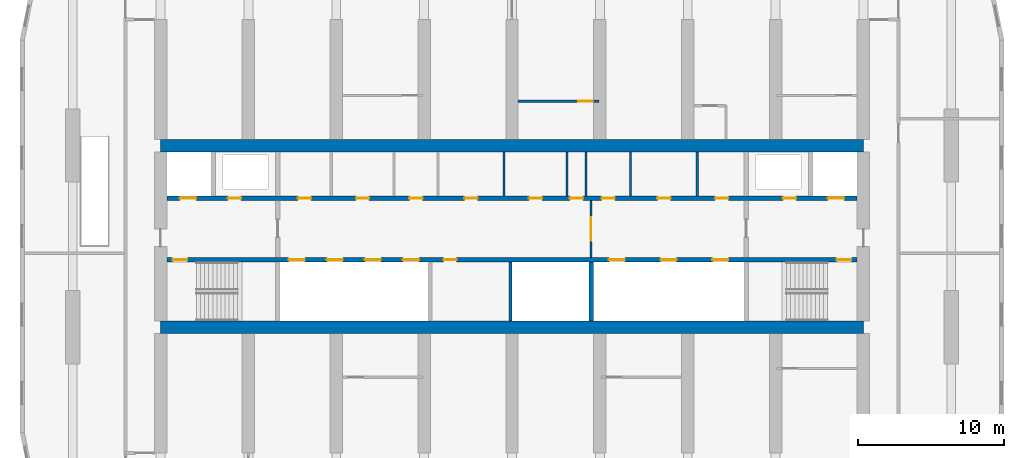
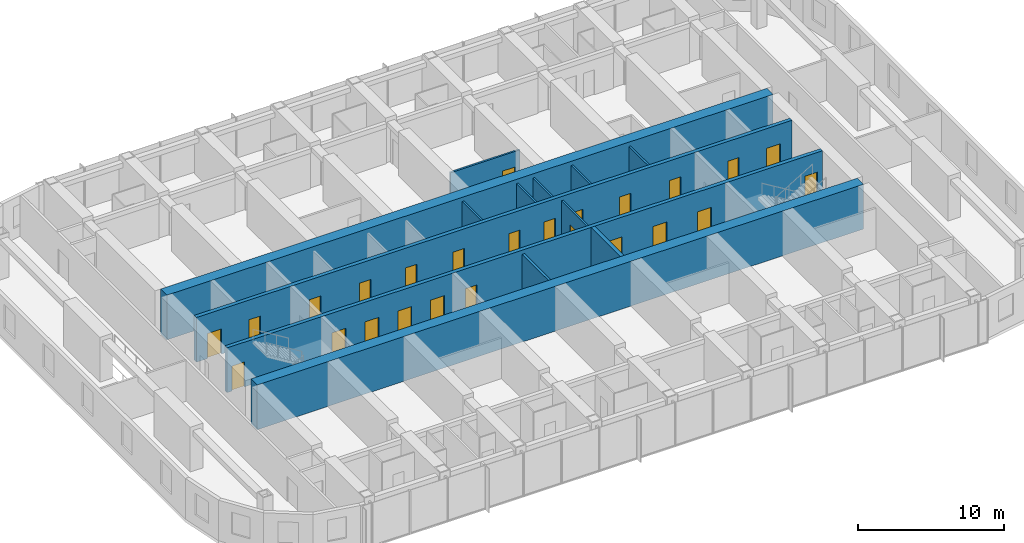
# One storey, part 13 of 22: 25 doors, 13 walls, 25 openings.
"""IFC4 building model written with IfcOpenShell, lengths in metres."""

from ifc_helpers import new_model, si_unit, direction, frame, frame_2d, origin, place, context, subcontext, project, spatial, rectangle, extrude, material, layer, layer_set, type_object, element, fill, save


model = new_model("IFC4")

# Units and contexts
model_context = context("Model", 3, precision=1e-05, world=origin(), true_north=direction((0.0, 1.0)))
body_context = subcontext(model_context, "Body", "Model", "MODEL_VIEW")
ifc_project = project(units=[si_unit("LENGTHUNIT", "METRE"), si_unit("AREAUNIT", "SQUARE_METRE"), si_unit("VOLUMEUNIT", "CUBIC_METRE"), si_unit("PLANEANGLEUNIT", "RADIAN"), si_unit("MASSUNIT", "GRAM", prefix="KILO")], contexts=[model_context])

# Site, building, storey
site_placement = place(None, origin())
site = spatial("IfcSite", under=ifc_project, at=site_placement, CompositionType="ELEMENT")
building_placement = place(site_placement, origin())
building = spatial("IfcBuilding", under=site, at=building_placement, Name="Orbita Commons", CompositionType="ELEMENT")
storey_placement = place(building_placement, frame((0.0, 0.0, 197.35009765625)))
storey = spatial("IfcBuildingStorey", under=building, at=storey_placement, Name="L49", CompositionType="ELEMENT", Elevation=197.35009765625)

# Wall, openings, doors
ifc_material_1 = material(Name="Concrete C50/60", Category="concrete")
ifc_layer_1 = layer(ifc_material_1, 0.300048828125)
ifc_layer_set_1 = layer_set([ifc_layer_1], Name="Concrete C50/60")
wall_type_1 = type_object("IfcWallType", Name="Core inner wall 300 C50/60", PredefinedType="SHEAR", material=ifc_layer_set_1)
wall_1_placement = place(storey_placement, frame((18.425048828125, 30.39990234375, 0.0), z_axis=(0.0, 0.0, 1.0), x_axis=(1.0, 0.0, 0.0)))
wall_1 = element("IfcWall", 1, at=wall_1_placement, inside=storey, type_object=wall_type_1, Name="Lobby wall south L49", PredefinedType="SHEAR", context=body_context, shape_type="SweptSolid", body=[
    extrude(rectangle(XDim=47.14990234375, YDim=0.300048828125, at=frame_2d((23.574951171875, 0.0))), origin(), (0.0, 0.0, 1.0), 3.75),
])
opening_1_placement = place(wall_1_placement, frame((0.39990234375, 0.0, 0.0)))
opening_1 = element("IfcOpeningElement", 2, at=opening_1_placement, cuts=wall_1, Name="Opening D02", PredefinedType="OPENING", context=body_context, shape_type="SweptSolid", body=[
    extrude(rectangle(XDim=1.0, YDim=2.10009765625, at=frame_2d((0.5, 1.050048828125))), frame((0.0, 0.159912109375, 0.0), z_axis=(0.0, -1.0, 0.0), x_axis=(1.0, 0.0, 0.0)), (0.0, 0.0, 1.0), 0.320068359375),
])
opening_2_placement = place(wall_1_placement, frame((45.75, 0.0, 0.0)))
opening_2 = element("IfcOpeningElement", 3, at=opening_2_placement, cuts=wall_1, Name="Opening D02", PredefinedType="OPENING", context=body_context, shape_type="SweptSolid", body=[
    extrude(rectangle(XDim=1.0, YDim=2.10009765625, at=frame_2d((0.5, 1.050048828125))), frame((0.0, 0.159912109375, 0.0), z_axis=(0.0, -1.0, 0.0), x_axis=(1.0, 0.0, 0.0)), (0.0, 0.0, 1.0), 0.320068359375),
])
opening_3_placement = place(wall_1_placement, frame((8.324951171875, 0.0, 0.0)))
opening_3 = element("IfcOpeningElement", 4, at=opening_3_placement, cuts=wall_1, Name="Opening LD02", PredefinedType="OPENING", context=body_context, shape_type="SweptSolid", body=[
    extrude(rectangle(XDim=1.10009765625, YDim=2.10009765625, at=frame_2d((0.550048828125, 1.050048828125))), frame((0.0, 0.159912109375, 0.0), z_axis=(0.0, -1.0, 0.0), x_axis=(1.0, 0.0, 0.0)), (0.0, 0.0, 1.0), 0.320068359375),
])
opening_4_placement = place(wall_1_placement, frame((10.925048828125, 0.0, 0.0)))
opening_4 = element("IfcOpeningElement", 5, at=opening_4_placement, cuts=wall_1, Name="Opening LD02", PredefinedType="OPENING", context=body_context, shape_type="SweptSolid", body=[
    extrude(rectangle(XDim=1.10009765625, YDim=2.10009765625, at=frame_2d((0.550048828125, 1.050048828125))), frame((0.0, 0.159912109375, 0.0), z_axis=(0.0, -1.0, 0.0), x_axis=(1.0, 0.0, 0.0)), (0.0, 0.0, 1.0), 0.320068359375),
])
opening_5_placement = place(wall_1_placement, frame((13.52490234375, 0.0, 0.0)))
opening_5 = element("IfcOpeningElement", 6, at=opening_5_placement, cuts=wall_1, Name="Opening LD02", PredefinedType="OPENING", context=body_context, shape_type="SweptSolid", body=[
    extrude(rectangle(XDim=1.10009765625, YDim=2.10009765625, at=frame_2d((0.550048828125, 1.050048828125))), frame((0.0, 0.159912109375, 0.0), z_axis=(0.0, -1.0, 0.0), x_axis=(1.0, 0.0, 0.0)), (0.0, 0.0, 1.0), 0.320068359375),
])
opening_6_placement = place(wall_1_placement, frame((16.125, 0.0, 0.0)))
opening_6 = element("IfcOpeningElement", 7, at=opening_6_placement, cuts=wall_1, Name="Opening LD02", PredefinedType="OPENING", context=body_context, shape_type="SweptSolid", body=[
    extrude(rectangle(XDim=1.10009765625, YDim=2.10009765625, at=frame_2d((0.550048828125, 1.050048828125))), frame((0.0, 0.159912109375, 0.0), z_axis=(0.0, -1.0, 0.0), x_axis=(1.0, 0.0, 0.0)), (0.0, 0.0, 1.0), 0.320068359375),
])
opening_7_placement = place(wall_1_placement, frame((18.89990234375, 0.0, 0.0)))
opening_7 = element("IfcOpeningElement", 8, at=opening_7_placement, cuts=wall_1, Name="Opening D05", PredefinedType="OPENING", context=body_context, shape_type="SweptSolid", body=[
    extrude(rectangle(XDim=0.89990234375, YDim=2.10009765625, at=frame_2d((0.449951171875, 1.050048828125))), frame((0.0, 0.159912109375, 0.0), z_axis=(0.0, -1.0, 0.0), x_axis=(1.0, 0.0, 0.0)), (0.0, 0.0, 1.0), 0.320068359375),
])
opening_8_placement = place(wall_1_placement, frame((30.191650390625, 0.0, 0.0)))
opening_8 = element("IfcOpeningElement", 9, at=opening_8_placement, cuts=wall_1, Name="Opening LD02", PredefinedType="OPENING", context=body_context, shape_type="SweptSolid", body=[
    extrude(rectangle(XDim=1.10009765625, YDim=2.10009765625, at=frame_2d((0.550048828125, 1.050048828125))), frame((0.0, 0.159912109375, 0.0), z_axis=(0.0, -1.0, 0.0), x_axis=(1.0, 0.0, 0.0)), (0.0, 0.0, 1.0), 0.320068359375),
])
opening_9_placement = place(wall_1_placement, frame((33.72509765625, 0.0, 0.0)))
opening_9 = element("IfcOpeningElement", 10, at=opening_9_placement, cuts=wall_1, Name="Opening LD02", PredefinedType="OPENING", context=body_context, shape_type="SweptSolid", body=[
    extrude(rectangle(XDim=1.10009765625, YDim=2.10009765625, at=frame_2d((0.550048828125, 1.050048828125))), frame((0.0, 0.159912109375, 0.0), z_axis=(0.0, -1.0, 0.0), x_axis=(1.0, 0.0, 0.0)), (0.0, 0.0, 1.0), 0.320068359375),
])
opening_10_placement = place(wall_1_placement, frame((37.25830078125, 0.0, 0.0)))
opening_10 = element("IfcOpeningElement", 11, at=opening_10_placement, cuts=wall_1, Name="Opening LD02", PredefinedType="OPENING", context=body_context, shape_type="SweptSolid", body=[
    extrude(rectangle(XDim=1.10009765625, YDim=2.10009765625, at=frame_2d((0.550048828125, 1.050048828125))), frame((0.0, 0.159912109375, 0.0), z_axis=(0.0, -1.0, 0.0), x_axis=(1.0, 0.0, 0.0)), (0.0, 0.0, 1.0), 0.320068359375),
])
ifc_material_2 = material(Name="Steel-faced fire door leaf", Category="steel")
door_type_1 = type_object("IfcDoorType", Name="Fire door 90 min 1000x2100", OperationType="SINGLE_SWING_LEFT", PredefinedType="DOOR", material=ifc_material_2)
door_1_placement = place(opening_1_placement, origin())
door_1 = element("IfcDoor", 12, at=door_1_placement, inside=storey, type_object=door_type_1, Name="Stair S1 door", OperationType="SINGLE_SWING_LEFT", OverallHeight=2.10009765625, OverallWidth=1.0, PredefinedType="DOOR", context=body_context, shape_type="SweptSolid", body=[
    extrude(rectangle(XDim=1.0, YDim=2.10009765625, at=frame_2d((0.5, 1.050048828125))), frame((0.0, 0.02490234375, 0.0), z_axis=(0.0, -1.0, 0.0), x_axis=(1.0, 0.0, 0.0)), (0.0, 0.0, 1.0), 0.050048828125),
])
fill(opening_1, door_1)
door_2_placement = place(opening_2_placement, origin())
door_2 = element("IfcDoor", 13, at=door_2_placement, inside=storey, type_object=door_type_1, Name="Stair S2 door", OperationType="SINGLE_SWING_LEFT", OverallHeight=2.10009765625, OverallWidth=1.0, PredefinedType="DOOR", context=body_context, shape_type="SweptSolid", body=[
    extrude(rectangle(XDim=1.0, YDim=2.10009765625, at=frame_2d((0.5, 1.050048828125))), frame((0.0, 0.02490234375, 0.0), z_axis=(0.0, -1.0, 0.0), x_axis=(1.0, 0.0, 0.0)), (0.0, 0.0, 1.0), 0.050048828125),
])
fill(opening_2, door_2)
ifc_material_3 = material(Name="Steel-faced fire door leaf", Category="steel")
door_type_2 = type_object("IfcDoorType", Name="Lift landing door 1100x2100", OperationType="DOUBLE_DOOR_SLIDING", PredefinedType="DOOR", material=ifc_material_3)
door_3_placement = place(opening_3_placement, origin())
door_3 = element("IfcDoor", 14, at=door_3_placement, inside=storey, type_object=door_type_2, Name="Lift P31 landing door", OperationType="DOUBLE_DOOR_SLIDING", OverallHeight=2.10009765625, OverallWidth=1.10009765625, PredefinedType="DOOR", context=body_context, shape_type="SweptSolid", body=[
    extrude(rectangle(XDim=1.10009765625, YDim=2.10009765625, at=frame_2d((0.550048828125, 1.050048828125))), frame((0.0, 0.02490234375, 0.0), z_axis=(0.0, -1.0, 0.0), x_axis=(1.0, 0.0, 0.0)), (0.0, 0.0, 1.0), 0.050048828125),
])
fill(opening_3, door_3)
door_4_placement = place(opening_4_placement, origin())
door_4 = element("IfcDoor", 15, at=door_4_placement, inside=storey, type_object=door_type_2, Name="Lift P32 landing door", OperationType="DOUBLE_DOOR_SLIDING", OverallHeight=2.10009765625, OverallWidth=1.10009765625, PredefinedType="DOOR", context=body_context, shape_type="SweptSolid", body=[
    extrude(rectangle(XDim=1.10009765625, YDim=2.10009765625, at=frame_2d((0.550048828125, 1.050048828125))), frame((0.0, 0.02490234375, 0.0), z_axis=(0.0, -1.0, 0.0), x_axis=(1.0, 0.0, 0.0)), (0.0, 0.0, 1.0), 0.050048828125),
])
fill(opening_4, door_4)
door_5_placement = place(opening_5_placement, origin())
door_5 = element("IfcDoor", 16, at=door_5_placement, inside=storey, type_object=door_type_2, Name="Lift P33 landing door", OperationType="DOUBLE_DOOR_SLIDING", OverallHeight=2.10009765625, OverallWidth=1.10009765625, PredefinedType="DOOR", context=body_context, shape_type="SweptSolid", body=[
    extrude(rectangle(XDim=1.10009765625, YDim=2.10009765625, at=frame_2d((0.550048828125, 1.050048828125))), frame((0.0, 0.02490234375, 0.0), z_axis=(0.0, -1.0, 0.0), x_axis=(1.0, 0.0, 0.0)), (0.0, 0.0, 1.0), 0.050048828125),
])
fill(opening_5, door_5)
door_6_placement = place(opening_6_placement, origin())
door_6 = element("IfcDoor", 17, at=door_6_placement, inside=storey, type_object=door_type_2, Name="Lift P34 landing door", OperationType="DOUBLE_DOOR_SLIDING", OverallHeight=2.10009765625, OverallWidth=1.10009765625, PredefinedType="DOOR", context=body_context, shape_type="SweptSolid", body=[
    extrude(rectangle(XDim=1.10009765625, YDim=2.10009765625, at=frame_2d((0.550048828125, 1.050048828125))), frame((0.0, 0.02490234375, 0.0), z_axis=(0.0, -1.0, 0.0), x_axis=(1.0, 0.0, 0.0)), (0.0, 0.0, 1.0), 0.050048828125),
])
fill(opening_6, door_6)
door_7_placement = place(opening_8_placement, origin())
door_7 = element("IfcDoor", 18, at=door_7_placement, inside=storey, type_object=door_type_2, Name="Lift SV1 landing door", OperationType="DOUBLE_DOOR_SLIDING", OverallHeight=2.10009765625, OverallWidth=1.10009765625, PredefinedType="DOOR", context=body_context, shape_type="SweptSolid", body=[
    extrude(rectangle(XDim=1.10009765625, YDim=2.10009765625, at=frame_2d((0.550048828125, 1.050048828125))), frame((0.0, 0.02490234375, 0.0), z_axis=(0.0, -1.0, 0.0), x_axis=(1.0, 0.0, 0.0)), (0.0, 0.0, 1.0), 0.050048828125),
])
fill(opening_8, door_7)
door_8_placement = place(opening_9_placement, origin())
door_8 = element("IfcDoor", 19, at=door_8_placement, inside=storey, type_object=door_type_2, Name="Lift SV2 landing door", OperationType="DOUBLE_DOOR_SLIDING", OverallHeight=2.10009765625, OverallWidth=1.10009765625, PredefinedType="DOOR", context=body_context, shape_type="SweptSolid", body=[
    extrude(rectangle(XDim=1.10009765625, YDim=2.10009765625, at=frame_2d((0.550048828125, 1.050048828125))), frame((0.0, 0.02490234375, 0.0), z_axis=(0.0, -1.0, 0.0), x_axis=(1.0, 0.0, 0.0)), (0.0, 0.0, 1.0), 0.050048828125),
])
fill(opening_9, door_8)
door_9_placement = place(opening_10_placement, origin())
door_9 = element("IfcDoor", 20, at=door_9_placement, inside=storey, type_object=door_type_2, Name="Lift SV3 landing door", OperationType="DOUBLE_DOOR_SLIDING", OverallHeight=2.10009765625, OverallWidth=1.10009765625, PredefinedType="DOOR", context=body_context, shape_type="SweptSolid", body=[
    extrude(rectangle(XDim=1.10009765625, YDim=2.10009765625, at=frame_2d((0.550048828125, 1.050048828125))), frame((0.0, 0.02490234375, 0.0), z_axis=(0.0, -1.0, 0.0), x_axis=(1.0, 0.0, 0.0)), (0.0, 0.0, 1.0), 0.050048828125),
])
fill(opening_10, door_9)
ifc_material_4 = material(Name="Steel-faced fire door leaf", Category="steel")
door_type_3 = type_object("IfcDoorType", Name="Service door 20 min 900x2100", OperationType="SINGLE_SWING_LEFT", PredefinedType="DOOR", material=ifc_material_4)
door_10_placement = place(opening_7_placement, origin())
door_10 = element("IfcDoor", 21, at=door_10_placement, inside=storey, type_object=door_type_3, Name="IT room door", OperationType="SINGLE_SWING_LEFT", OverallHeight=2.10009765625, OverallWidth=0.89990234375, PredefinedType="DOOR", context=body_context, shape_type="SweptSolid", body=[
    extrude(rectangle(XDim=0.89990234375, YDim=2.10009765625, at=frame_2d((0.449951171875, 1.050048828125))), frame((0.0, 0.02490234375, 0.0), z_axis=(0.0, -1.0, 0.0), x_axis=(1.0, 0.0, 0.0)), (0.0, 0.0, 1.0), 0.050048828125),
])
fill(opening_7, door_10)

wall_2_placement = place(storey_placement, frame((18.425048828125, 34.60009765625, 0.0), z_axis=(0.0, 0.0, 1.0), x_axis=(1.0, 0.0, 0.0)))
wall_2 = element("IfcWall", 22, at=wall_2_placement, inside=storey, type_object=wall_type_1, Name="Lobby wall north L49", PredefinedType="SHEAR", context=body_context, shape_type="SweptSolid", body=[
    extrude(rectangle(XDim=47.14990234375, YDim=0.300048828125, at=frame_2d((23.574951171875, 0.0))), origin(), (0.0, 0.0, 1.0), 3.75),
])
opening_11_placement = place(wall_2_placement, frame((0.89990234375, 0.0, 0.0)))
opening_11 = element("IfcOpeningElement", 23, at=opening_11_placement, cuts=wall_2, Name="Opening LD01", PredefinedType="OPENING", context=body_context, shape_type="SweptSolid", body=[
    extrude(rectangle(XDim=1.10009765625, YDim=2.10009765625, at=frame_2d((0.550048828125, 1.050048828125))), frame((0.0, 0.159912109375, 0.0), z_axis=(0.0, -1.0, 0.0), x_axis=(1.0, 0.0, 0.0)), (0.0, 0.0, 1.0), 0.320068359375),
])
opening_12_placement = place(wall_2_placement, frame((45.14990234375, 0.0, 0.0)))
opening_12 = element("IfcOpeningElement", 24, at=opening_12_placement, cuts=wall_2, Name="Opening LD01", PredefinedType="OPENING", context=body_context, shape_type="SweptSolid", body=[
    extrude(rectangle(XDim=1.10009765625, YDim=2.10009765625, at=frame_2d((0.550048828125, 1.050048828125))), frame((0.0, 0.159912109375, 0.0), z_axis=(0.0, -1.0, 0.0), x_axis=(1.0, 0.0, 0.0)), (0.0, 0.0, 1.0), 0.320068359375),
])
opening_13_placement = place(wall_2_placement, frame((4.175048828125, 0.0, 0.0)))
opening_13 = element("IfcOpeningElement", 25, at=opening_13_placement, cuts=wall_2, Name="Opening D03", PredefinedType="OPENING", context=body_context, shape_type="SweptSolid", body=[
    extrude(rectangle(XDim=0.89990234375, YDim=2.10009765625, at=frame_2d((0.449951171875, 1.050048828125))), frame((0.0, 0.159912109375, 0.0), z_axis=(0.0, -1.0, 0.0), x_axis=(1.0, 0.0, 0.0)), (0.0, 0.0, 1.0), 0.320068359375),
])
opening_14_placement = place(wall_2_placement, frame((42.074951171875, 0.0, 0.0)))
opening_14 = element("IfcOpeningElement", 26, at=opening_14_placement, cuts=wall_2, Name="Opening D03", PredefinedType="OPENING", context=body_context, shape_type="SweptSolid", body=[
    extrude(rectangle(XDim=0.89990234375, YDim=2.10009765625, at=frame_2d((0.449951171875, 1.050048828125))), frame((0.0, 0.159912109375, 0.0), z_axis=(0.0, -1.0, 0.0), x_axis=(1.0, 0.0, 0.0)), (0.0, 0.0, 1.0), 0.320068359375),
])
opening_15_placement = place(wall_2_placement, frame((8.950439453125, 0.0, 0.0)))
opening_15 = element("IfcOpeningElement", 27, at=opening_15_placement, cuts=wall_2, Name="Opening D03", PredefinedType="OPENING", context=body_context, shape_type="SweptSolid", body=[
    extrude(rectangle(XDim=0.89990234375, YDim=2.10009765625, at=frame_2d((0.449951171875, 1.050048828125))), frame((0.0, 0.159912109375, 0.0), z_axis=(0.0, -1.0, 0.0), x_axis=(1.0, 0.0, 0.0)), (0.0, 0.0, 1.0), 0.320068359375),
])
opening_16_placement = place(wall_2_placement, frame((12.923583984375, 0.0, 0.0)))
opening_16 = element("IfcOpeningElement", 28, at=opening_16_placement, cuts=wall_2, Name="Opening D03", PredefinedType="OPENING", context=body_context, shape_type="SweptSolid", body=[
    extrude(rectangle(XDim=0.89990234375, YDim=2.10009765625, at=frame_2d((0.449951171875, 1.050048828125))), frame((0.0, 0.159912109375, 0.0), z_axis=(0.0, -1.0, 0.0), x_axis=(1.0, 0.0, 0.0)), (0.0, 0.0, 1.0), 0.320068359375),
])
opening_17_placement = place(wall_2_placement, frame((16.5712890625, 0.0, 0.0)))
opening_17 = element("IfcOpeningElement", 29, at=opening_17_placement, cuts=wall_2, Name="Opening D03", PredefinedType="OPENING", context=body_context, shape_type="SweptSolid", body=[
    extrude(rectangle(XDim=0.89990234375, YDim=2.10009765625, at=frame_2d((0.449951171875, 1.050048828125))), frame((0.0, 0.159912109375, 0.0), z_axis=(0.0, -1.0, 0.0), x_axis=(1.0, 0.0, 0.0)), (0.0, 0.0, 1.0), 0.320068359375),
])
opening_18_placement = place(wall_2_placement, frame((20.32958984375, 0.0, 0.0)))
opening_18 = element("IfcOpeningElement", 30, at=opening_18_placement, cuts=wall_2, Name="Opening D05", PredefinedType="OPENING", context=body_context, shape_type="SweptSolid", body=[
    extrude(rectangle(XDim=0.89990234375, YDim=2.10009765625, at=frame_2d((0.449951171875, 1.050048828125))), frame((0.0, 0.159912109375, 0.0), z_axis=(0.0, -1.0, 0.0), x_axis=(1.0, 0.0, 0.0)), (0.0, 0.0, 1.0), 0.320068359375),
])
opening_19_placement = place(wall_2_placement, frame((24.735595703125, 0.0, 0.0)))
opening_19 = element("IfcOpeningElement", 31, at=opening_19_placement, cuts=wall_2, Name="Opening D03", PredefinedType="OPENING", context=body_context, shape_type="SweptSolid", body=[
    extrude(rectangle(XDim=0.89990234375, YDim=2.10009765625, at=frame_2d((0.449951171875, 1.050048828125))), frame((0.0, 0.159912109375, 0.0), z_axis=(0.0, -1.0, 0.0), x_axis=(1.0, 0.0, 0.0)), (0.0, 0.0, 1.0), 0.320068359375),
])
opening_20_placement = place(wall_2_placement, frame((27.533447265625, 0.0, 0.0)))
opening_20 = element("IfcOpeningElement", 32, at=opening_20_placement, cuts=wall_2, Name="Opening D03", PredefinedType="OPENING", context=body_context, shape_type="SweptSolid", body=[
    extrude(rectangle(XDim=0.89990234375, YDim=2.10009765625, at=frame_2d((0.449951171875, 1.050048828125))), frame((0.0, 0.159912109375, 0.0), z_axis=(0.0, -1.0, 0.0), x_axis=(1.0, 0.0, 0.0)), (0.0, 0.0, 1.0), 0.320068359375),
])
opening_21_placement = place(wall_2_placement, frame((29.703125, 0.0, 0.0)))
opening_21 = element("IfcOpeningElement", 33, at=opening_21_placement, cuts=wall_2, Name="Opening D05", PredefinedType="OPENING", context=body_context, shape_type="SweptSolid", body=[
    extrude(rectangle(XDim=0.89990234375, YDim=2.10009765625, at=frame_2d((0.449951171875, 1.050048828125))), frame((0.0, 0.159912109375, 0.0), z_axis=(0.0, -1.0, 0.0), x_axis=(1.0, 0.0, 0.0)), (0.0, 0.0, 1.0), 0.320068359375),
])
opening_22_placement = place(wall_2_placement, frame((33.502197265625, 0.0, 0.0)))
opening_22 = element("IfcOpeningElement", 34, at=opening_22_placement, cuts=wall_2, Name="Opening D05", PredefinedType="OPENING", context=body_context, shape_type="SweptSolid", body=[
    extrude(rectangle(XDim=0.89990234375, YDim=2.10009765625, at=frame_2d((0.449951171875, 1.050048828125))), frame((0.0, 0.159912109375, 0.0), z_axis=(0.0, -1.0, 0.0), x_axis=(1.0, 0.0, 0.0)), (0.0, 0.0, 1.0), 0.320068359375),
])
opening_23_placement = place(wall_2_placement, frame((37.453369140625, 0.0, 0.0)))
opening_23 = element("IfcOpeningElement", 35, at=opening_23_placement, cuts=wall_2, Name="Opening D03", PredefinedType="OPENING", context=body_context, shape_type="SweptSolid", body=[
    extrude(rectangle(XDim=0.89990234375, YDim=2.10009765625, at=frame_2d((0.449951171875, 1.050048828125))), frame((0.0, 0.159912109375, 0.0), z_axis=(0.0, -1.0, 0.0), x_axis=(1.0, 0.0, 0.0)), (0.0, 0.0, 1.0), 0.320068359375),
])
ifc_material_5 = material(Name="Steel-faced fire door leaf", Category="steel")
door_type_4 = type_object("IfcDoorType", Name="Firefighting lift landing door 1100x2100", OperationType="DOUBLE_DOOR_SLIDING", PredefinedType="DOOR", material=ifc_material_5)
door_11_placement = place(opening_11_placement, origin())
door_11 = element("IfcDoor", 36, at=door_11_placement, inside=storey, type_object=door_type_4, Name="Firefighting lift FL1 landing door", OperationType="DOUBLE_DOOR_SLIDING", OverallHeight=2.10009765625, OverallWidth=1.10009765625, PredefinedType="DOOR", context=body_context, shape_type="SweptSolid", body=[
    extrude(rectangle(XDim=1.10009765625, YDim=2.10009765625, at=frame_2d((0.550048828125, 1.050048828125))), frame((0.0, 0.02490234375, 0.0), z_axis=(0.0, -1.0, 0.0), x_axis=(1.0, 0.0, 0.0)), (0.0, 0.0, 1.0), 0.050048828125),
])
fill(opening_11, door_11)
door_12_placement = place(opening_12_placement, origin())
door_12 = element("IfcDoor", 37, at=door_12_placement, inside=storey, type_object=door_type_4, Name="Firefighting lift FL2 landing door", OperationType="DOUBLE_DOOR_SLIDING", OverallHeight=2.10009765625, OverallWidth=1.10009765625, PredefinedType="DOOR", context=body_context, shape_type="SweptSolid", body=[
    extrude(rectangle(XDim=1.10009765625, YDim=2.10009765625, at=frame_2d((0.550048828125, 1.050048828125))), frame((0.0, 0.02490234375, 0.0), z_axis=(0.0, -1.0, 0.0), x_axis=(1.0, 0.0, 0.0)), (0.0, 0.0, 1.0), 0.050048828125),
])
fill(opening_12, door_12)
door_13_placement = place(opening_18_placement, origin())
door_13 = element("IfcDoor", 38, at=door_13_placement, inside=storey, type_object=door_type_3, Name="Accessible WC door", OperationType="SINGLE_SWING_LEFT", OverallHeight=2.10009765625, OverallWidth=0.89990234375, PredefinedType="DOOR", context=body_context, shape_type="SweptSolid", body=[
    extrude(rectangle(XDim=0.89990234375, YDim=2.10009765625, at=frame_2d((0.449951171875, 1.050048828125))), frame((0.0, 0.02490234375, 0.0), z_axis=(0.0, -1.0, 0.0), x_axis=(1.0, 0.0, 0.0)), (0.0, 0.0, 1.0), 0.050048828125),
])
fill(opening_18, door_13)
door_14_placement = place(opening_21_placement, origin())
door_14 = element("IfcDoor", 39, at=door_14_placement, inside=storey, type_object=door_type_3, Name="Staff WC door", OperationType="SINGLE_SWING_LEFT", OverallHeight=2.10009765625, OverallWidth=0.89990234375, PredefinedType="DOOR", context=body_context, shape_type="SweptSolid", body=[
    extrude(rectangle(XDim=0.89990234375, YDim=2.10009765625, at=frame_2d((0.449951171875, 1.050048828125))), frame((0.0, 0.02490234375, 0.0), z_axis=(0.0, -1.0, 0.0), x_axis=(1.0, 0.0, 0.0)), (0.0, 0.0, 1.0), 0.050048828125),
])
fill(opening_21, door_14)
door_15_placement = place(opening_22_placement, origin())
door_15 = element("IfcDoor", 40, at=door_15_placement, inside=storey, type_object=door_type_3, Name="Vending and ice room door", OperationType="SINGLE_SWING_LEFT", OverallHeight=2.10009765625, OverallWidth=0.89990234375, PredefinedType="DOOR", context=body_context, shape_type="SweptSolid", body=[
    extrude(rectangle(XDim=0.89990234375, YDim=2.10009765625, at=frame_2d((0.449951171875, 1.050048828125))), frame((0.0, 0.02490234375, 0.0), z_axis=(0.0, -1.0, 0.0), x_axis=(1.0, 0.0, 0.0)), (0.0, 0.0, 1.0), 0.050048828125),
])
fill(opening_22, door_15)
ifc_material_6 = material(Name="Steel-faced fire door leaf", Category="steel")
door_type_5 = type_object("IfcDoorType", Name="Shaft access door 90 min 900x2100", OperationType="SINGLE_SWING_LEFT", PredefinedType="DOOR", material=ifc_material_6)
door_16_placement = place(opening_13_placement, origin())
door_16 = element("IfcDoor", 41, at=door_16_placement, inside=storey, type_object=door_type_5, Name="Riser door west", OperationType="SINGLE_SWING_LEFT", OverallHeight=2.10009765625, OverallWidth=0.89990234375, PredefinedType="DOOR", context=body_context, shape_type="SweptSolid", body=[
    extrude(rectangle(XDim=0.89990234375, YDim=2.10009765625, at=frame_2d((0.449951171875, 1.050048828125))), frame((0.0, 0.02490234375, 0.0), z_axis=(0.0, -1.0, 0.0), x_axis=(1.0, 0.0, 0.0)), (0.0, 0.0, 1.0), 0.050048828125),
])
fill(opening_13, door_16)
door_17_placement = place(opening_14_placement, origin())
door_17 = element("IfcDoor", 42, at=door_17_placement, inside=storey, type_object=door_type_5, Name="Riser door east", OperationType="SINGLE_SWING_LEFT", OverallHeight=2.10009765625, OverallWidth=0.89990234375, PredefinedType="DOOR", context=body_context, shape_type="SweptSolid", body=[
    extrude(rectangle(XDim=0.89990234375, YDim=2.10009765625, at=frame_2d((0.449951171875, 1.050048828125))), frame((0.0, 0.02490234375, 0.0), z_axis=(0.0, -1.0, 0.0), x_axis=(1.0, 0.0, 0.0)), (0.0, 0.0, 1.0), 0.050048828125),
])
fill(opening_14, door_17)
door_18_placement = place(opening_15_placement, origin())
door_18 = element("IfcDoor", 43, at=door_18_placement, inside=storey, type_object=door_type_5, Name="Cleaners store door", OperationType="SINGLE_SWING_LEFT", OverallHeight=2.10009765625, OverallWidth=0.89990234375, PredefinedType="DOOR", context=body_context, shape_type="SweptSolid", body=[
    extrude(rectangle(XDim=0.89990234375, YDim=2.10009765625, at=frame_2d((0.449951171875, 1.050048828125))), frame((0.0, 0.02490234375, 0.0), z_axis=(0.0, -1.0, 0.0), x_axis=(1.0, 0.0, 0.0)), (0.0, 0.0, 1.0), 0.050048828125),
])
fill(opening_15, door_18)
door_19_placement = place(opening_16_placement, origin())
door_19 = element("IfcDoor", 44, at=door_19_placement, inside=storey, type_object=door_type_5, Name="Refuse chute room door", OperationType="SINGLE_SWING_LEFT", OverallHeight=2.10009765625, OverallWidth=0.89990234375, PredefinedType="DOOR", context=body_context, shape_type="SweptSolid", body=[
    extrude(rectangle(XDim=0.89990234375, YDim=2.10009765625, at=frame_2d((0.449951171875, 1.050048828125))), frame((0.0, 0.02490234375, 0.0), z_axis=(0.0, -1.0, 0.0), x_axis=(1.0, 0.0, 0.0)), (0.0, 0.0, 1.0), 0.050048828125),
])
fill(opening_16, door_19)
door_20_placement = place(opening_17_placement, origin())
door_20 = element("IfcDoor", 45, at=door_20_placement, inside=storey, type_object=door_type_5, Name="Electrical riser room door", OperationType="SINGLE_SWING_LEFT", OverallHeight=2.10009765625, OverallWidth=0.89990234375, PredefinedType="DOOR", context=body_context, shape_type="SweptSolid", body=[
    extrude(rectangle(XDim=0.89990234375, YDim=2.10009765625, at=frame_2d((0.449951171875, 1.050048828125))), frame((0.0, 0.02490234375, 0.0), z_axis=(0.0, -1.0, 0.0), x_axis=(1.0, 0.0, 0.0)), (0.0, 0.0, 1.0), 0.050048828125),
])
fill(opening_17, door_20)
door_21_placement = place(opening_19_placement, origin())
door_21 = element("IfcDoor", 46, at=door_21_placement, inside=storey, type_object=door_type_5, Name="Communications room door", OperationType="SINGLE_SWING_LEFT", OverallHeight=2.10009765625, OverallWidth=0.89990234375, PredefinedType="DOOR", context=body_context, shape_type="SweptSolid", body=[
    extrude(rectangle(XDim=0.89990234375, YDim=2.10009765625, at=frame_2d((0.449951171875, 1.050048828125))), frame((0.0, 0.02490234375, 0.0), z_axis=(0.0, -1.0, 0.0), x_axis=(1.0, 0.0, 0.0)), (0.0, 0.0, 1.0), 0.050048828125),
])
fill(opening_19, door_21)
door_22_placement = place(opening_20_placement, origin())
door_22 = element("IfcDoor", 47, at=door_22_placement, inside=storey, type_object=door_type_5, Name="Stair pressurisation duct door", OperationType="SINGLE_SWING_LEFT", OverallHeight=2.10009765625, OverallWidth=0.89990234375, PredefinedType="DOOR", context=body_context, shape_type="SweptSolid", body=[
    extrude(rectangle(XDim=0.89990234375, YDim=2.10009765625, at=frame_2d((0.449951171875, 1.050048828125))), frame((0.0, 0.02490234375, 0.0), z_axis=(0.0, -1.0, 0.0), x_axis=(1.0, 0.0, 0.0)), (0.0, 0.0, 1.0), 0.050048828125),
])
fill(opening_20, door_22)
door_23_placement = place(opening_23_placement, origin())
door_23 = element("IfcDoor", 48, at=door_23_placement, inside=storey, type_object=door_type_5, Name="Housekeeping store door", OperationType="SINGLE_SWING_LEFT", OverallHeight=2.10009765625, OverallWidth=0.89990234375, PredefinedType="DOOR", context=body_context, shape_type="SweptSolid", body=[
    extrude(rectangle(XDim=0.89990234375, YDim=2.10009765625, at=frame_2d((0.449951171875, 1.050048828125))), frame((0.0, 0.02490234375, 0.0), z_axis=(0.0, -1.0, 0.0), x_axis=(1.0, 0.0, 0.0)), (0.0, 0.0, 1.0), 0.050048828125),
])
fill(opening_23, door_23)

# Wall
wall_3_placement = place(storey_placement, frame((47.39990234375, 26.22509765625, 0.0), z_axis=(0.0, 0.0, 1.0), x_axis=(0.0, 1.0, 0.0)))
element("IfcWall", 49, at=wall_3_placement, inside=storey, type_object=wall_type_1, Name="Hoistway division wall L49", PredefinedType="SHEAR", context=body_context, shape_type="SweptSolid", body=[
    extrude(rectangle(XDim=4.02490234375, YDim=0.300048828125, at=frame_2d((2.012451171875, 0.0))), origin(), (0.0, 0.0, 1.0), 3.75),
])

# Wall, opening, door
ifc_material_7 = material(Name="Concrete blockwork", Category="masonry")
ifc_layer_2 = layer(ifc_material_7, 0.14990234375)
ifc_layer_set_2 = layer_set([ifc_layer_2], Name="Concrete blockwork")
wall_type_2 = type_object("IfcWallType", Name="Core partition 150 blockwork", PredefinedType="SOLIDWALL", material=ifc_layer_set_2)
wall_4_placement = place(storey_placement, frame((47.39990234375, 30.550048828125, 0.0), z_axis=(0.0, 0.0, 1.0), x_axis=(0.0, 1.0, 0.0)))
wall_4 = element("IfcWall", 50, at=wall_4_placement, inside=storey, type_object=wall_type_2, Name="Core partition 150 blockwork L49", PredefinedType="SOLIDWALL", context=body_context, shape_type="SweptSolid", body=[
    extrude(rectangle(XDim=3.89990234375, YDim=0.14990234375, at=frame_2d((1.949951171875, 0.0))), origin(), (0.0, 0.0, 1.0), 3.39990234375),
])
opening_24_placement = place(wall_4_placement, frame((1.14990234375, 0.0, 0.0)))
opening_24 = element("IfcOpeningElement", 51, at=opening_24_placement, cuts=wall_4, Name="Opening D10", PredefinedType="OPENING", context=body_context, shape_type="SweptSolid", body=[
    extrude(rectangle(XDim=1.60009765625, YDim=2.10009765625, at=frame_2d((0.800048828125, 1.050048828125))), frame((0.0, 0.0849609375, 0.0), z_axis=(0.0, -1.0, 0.0), x_axis=(1.0, 0.0, 0.0)), (0.0, 0.0, 1.0), 0.169921875),
])
ifc_material_8 = material(Name="Steel-faced fire door leaf", Category="steel")
door_type_6 = type_object("IfcDoorType", Name="Double corridor door 20 min 1600x2100", OperationType="DOUBLE_DOOR_SINGLE_SWING", PredefinedType="DOOR", material=ifc_material_8)
door_24_placement = place(opening_24_placement, origin())
door_24 = element("IfcDoor", 52, at=door_24_placement, inside=storey, type_object=door_type_6, Name="Lift lobby screen doors", OperationType="DOUBLE_DOOR_SINGLE_SWING", OverallHeight=2.10009765625, OverallWidth=1.60009765625, PredefinedType="DOOR", context=body_context, shape_type="SweptSolid", body=[
    extrude(rectangle(XDim=1.60009765625, YDim=2.10009765625, at=frame_2d((0.800048828125, 1.050048828125))), frame((0.0, 0.02490234375, 0.0), z_axis=(0.0, -1.0, 0.0), x_axis=(1.0, 0.0, 0.0)), (0.0, 0.0, 1.0), 0.050048828125),
])
fill(opening_24, door_24)

# Walls
for number, where, z_axis, x_axis, name in (
    (53, (41.463134765625, 34.75, 0.0), (0.0, 0.0, 1.0), (0.0, 1.0, 0.0), "Core partition 150 blockwork L49"),
    (54, (45.75830078125, 34.75, 0.0), (0.0, 0.0, 1.0), (0.0, 1.0, 0.0), "Core partition 150 blockwork L49"),
    (55, (47.058349609375, 34.75, 0.0), (0.0, 0.0, 1.0), (0.0, 1.0, 0.0), "Core partition 150 blockwork L49"),
    (56, (50.09765625, 34.75, 0.0), (0.0, 0.0, 1.0), (0.0, 1.0, 0.0), "Core partition 150 blockwork L49"),
    (57, (54.65673828125, 34.75, 0.0), (0.0, 0.0, 1.0), (0.0, 1.0, 0.0), "Core partition 150 blockwork L49"),
):
    element("IfcWall", number, at=place(storey_placement, frame(where, z_axis=z_axis, x_axis=x_axis)), inside=storey, type_object=wall_type_2, Name=name, PredefinedType="SOLIDWALL", context=body_context, shape_type="SweptSolid", body=[
        extrude(rectangle(XDim=3.02490234375, YDim=0.14990234375, at=frame_2d((1.512451171875, 0.0))), origin(), (0.0, 0.0, 1.0), 3.39990234375),
    ])
ifc_material_9 = material(Name="Concrete C50/60", Category="concrete")
ifc_layer_3 = layer(ifc_material_9, 0.85009765625)
ifc_layer_set_3 = layer_set([ifc_layer_3], Name="Concrete C50/60")
wall_type_3 = type_object("IfcWallType", Name="Core wall 850 C50/60", PredefinedType="SHEAR", material=ifc_layer_set_3)
for number, where, z_axis, x_axis, name in (
    (58, (18.0, 25.800048828125, 0.0), (0.0, 0.0, 1.0), (1.0, 0.0, 0.0), "Core spine wall south L49"),
    (59, (18.0, 38.199951171875, 0.0), (0.0, 0.0, 1.0), (1.0, 0.0, 0.0), "Core spine wall north L49"),
):
    element("IfcWall", number, at=place(storey_placement, frame(where, z_axis=z_axis, x_axis=x_axis)), inside=storey, type_object=wall_type_3, Name=name, PredefinedType="SHEAR", context=body_context, shape_type="SweptSolid", body=[
        extrude(rectangle(XDim=48.0, YDim=0.85009765625, at=frame_2d((24.0, 0.0))), origin(), (0.0, 0.0, 1.0), 3.75),
    ])

# Wall, opening, door
ifc_material_10 = material(Name="Gypsum plasterboard on steel studs", Category="steel")
ifc_layer_4 = layer(ifc_material_10, 0.14990234375)
ifc_layer_set_4 = layer_set([ifc_layer_4], Name="Gypsum plasterboard on steel studs")
wall_type_4 = type_object("IfcWallType", Name="Partition 150 plasterboard", PredefinedType="PARTITIONING", material=ifc_layer_set_4)
wall_5_placement = place(storey_placement, frame((47.925048828125, 41.22509765625, 0.0), z_axis=(0.0, 0.0, 1.0), x_axis=(-1.0, 0.0, 0.0)))
wall_5 = element("IfcWall", 60, at=wall_5_placement, inside=storey, type_object=wall_type_4, Name="Partition 150 plasterboard L49", PredefinedType="PARTITIONING", context=body_context, shape_type="SweptSolid", body=[
    extrude(rectangle(XDim=5.5, YDim=0.14990234375, at=frame_2d((2.75, 0.0))), origin(), (0.0, 0.0, 1.0), 3.39990234375),
])
opening_25_placement = place(wall_5_placement, frame((0.39990234375, 0.0, 0.0)))
opening_25 = element("IfcOpeningElement", 61, at=opening_25_placement, cuts=wall_5, Name="Opening D17", PredefinedType="OPENING", context=body_context, shape_type="SweptSolid", body=[
    extrude(rectangle(XDim=1.0, YDim=2.10009765625, at=frame_2d((0.5, 1.050048828125))), frame((0.0, 0.0849609375, 0.0), z_axis=(0.0, -1.0, 0.0), x_axis=(1.0, 0.0, 0.0)), (0.0, 0.0, 1.0), 0.169921875),
])
ifc_material_11 = material(Name="Steel-faced fire door leaf", Category="steel")
door_type_7 = type_object("IfcDoorType", Name="Shaft access door 90 min 1000x2100", OperationType="SINGLE_SWING_LEFT", PredefinedType="DOOR", material=ifc_material_11)
door_25_placement = place(opening_25_placement, origin())
door_25 = element("IfcDoor", 62, at=door_25_placement, inside=storey, type_object=door_type_7, Name="Electrical and data room L49-BDN42 door", OperationType="SINGLE_SWING_LEFT", OverallHeight=2.10009765625, OverallWidth=1.0, PredefinedType="DOOR", context=body_context, shape_type="SweptSolid", body=[
    extrude(rectangle(XDim=1.0, YDim=2.10009765625, at=frame_2d((0.5, 1.050048828125))), frame((0.0, 0.02490234375, 0.0), z_axis=(0.0, -1.0, 0.0), x_axis=(1.0, 0.0, 0.0)), (0.0, 0.0, 1.0), 0.050048828125),
])
fill(opening_25, door_25)

# Wall
ifc_material_12 = material(Name="Concrete blockwork, fully filled", Category="masonry")
ifc_layer_5 = layer(ifc_material_12, 0.199951171875)
ifc_layer_set_5 = layer_set([ifc_layer_5], Name="Concrete blockwork, fully filled")
wall_type_5 = type_object("IfcWallType", Name="Shaft partition 200 blockwork", PredefinedType="SOLIDWALL", material=ifc_layer_set_5)
wall_6_placement = place(storey_placement, frame((41.89990234375, 26.22509765625, 0.0), z_axis=(0.0, 0.0, 1.0), x_axis=(0.0, 1.0, 0.0)))
element("IfcWall", 63, at=wall_6_placement, inside=storey, type_object=wall_type_5, Name="Shaft partition 200 blockwork L49", PredefinedType="SOLIDWALL", context=body_context, shape_type="SweptSolid", body=[
    extrude(rectangle(XDim=4.02490234375, YDim=0.199951171875, at=frame_2d((2.012451171875, 0.0))), origin(), (0.0, 0.0, 1.0), 3.39990234375),
])

save(model, "model.ifc")
